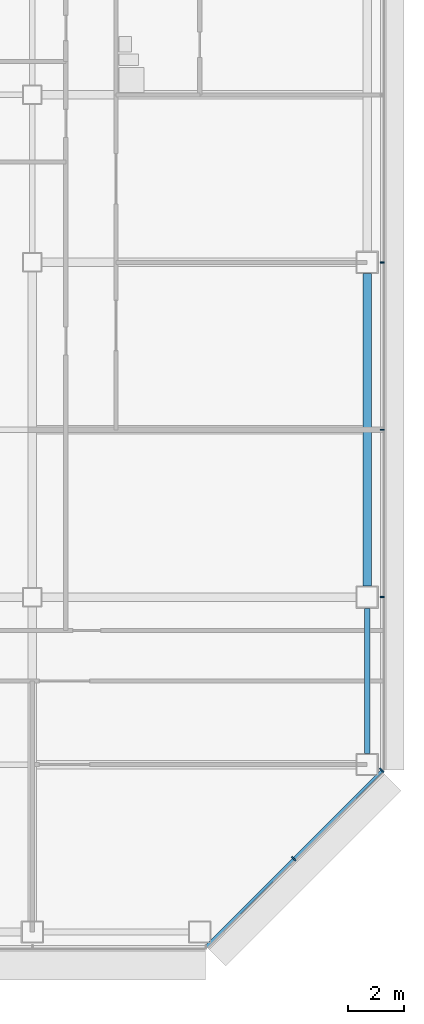
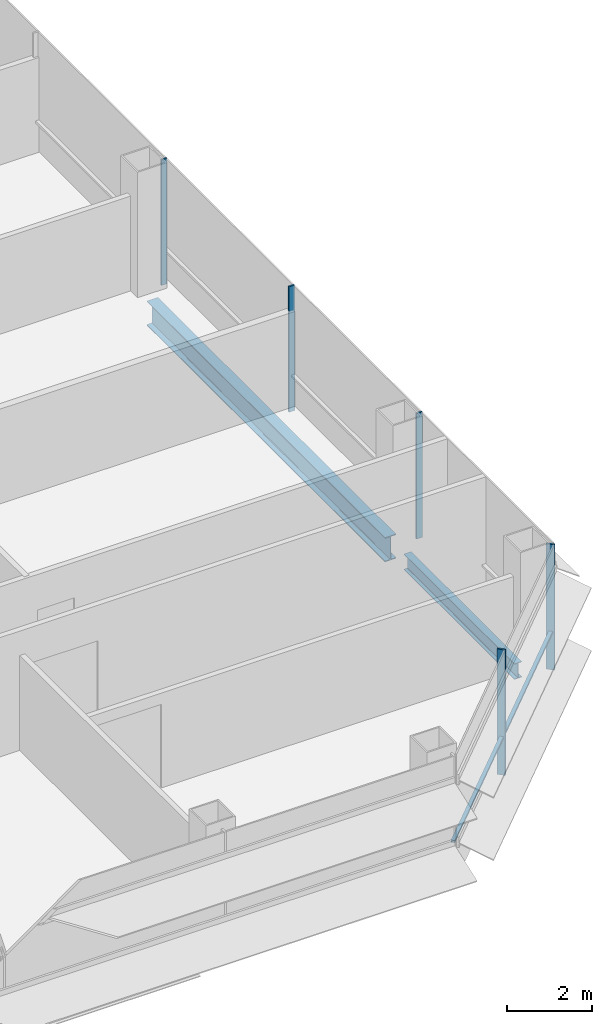
# One storey, part 15 of 25: 6 members, 2 beams, 2 elements without a shape of their own.
"""IFC4 building model written with IfcOpenShell, lengths in metres."""

from ifc_helpers import new_model, si_unit, direction, frame, origin, origin_2d, place, context, subcontext, project, spatial, rectangle, i_section, extrude, material, material_profile, profile_set, type_object, element, aggregate, save


model = new_model("IFC4")

# Units and contexts
model_context = context("Model", 3, precision=1e-05, world=origin(), true_north=direction((0.0, 1.0)))
body_context = subcontext(model_context, "Body", "Model", "MODEL_VIEW")
ifc_project = project(units=[si_unit("LENGTHUNIT", "METRE"), si_unit("AREAUNIT", "SQUARE_METRE"), si_unit("VOLUMEUNIT", "CUBIC_METRE"), si_unit("PLANEANGLEUNIT", "RADIAN"), si_unit("MASSUNIT", "GRAM", prefix="KILO")], contexts=[model_context])

# Site, building, storey
site_placement = place(None, origin())
site = spatial("IfcSite", under=ifc_project, at=site_placement, CompositionType="ELEMENT")
building_placement = place(site_placement, origin())
building = spatial("IfcBuilding", under=site, at=building_placement, Name="Sorahane Residences", CompositionType="ELEMENT")
storey_placement = place(building_placement, frame((0.0, 0.0, 119.60009765625)))
storey = spatial("IfcBuildingStorey", under=building, at=storey_placement, Name="L26", CompositionType="ELEMENT", Elevation=119.60009765625)

# Curtain wall, members
ifc_material_1 = material(Name="Dark low-e glass and black anodised aluminium", Category="aluminium")
curtain_wall_type_1 = type_object("IfcCurtainWallType", Name="Curtain wall CW-1 Typical unitised wall", PredefinedType="NOTDEFINED", material=ifc_material_1)
curtain_wall_1_placement = place(storey_placement, origin())
curtain_wall_1 = element("IfcCurtainWall", 1, at=curtain_wall_1_placement, inside=storey, type_object=curtain_wall_type_1, Name="CW-1 curtain wall L26 E1", PredefinedType="NOTDEFINED")
ifc_material_2 = material(Name="Black anodised aluminium", Category="aluminium")
ifc_material_profile_1 = material_profile(ifc_material_2, rectangle(XDim=0.159912109375, YDim=0.050048828125, at=origin_2d()), Name="Curtain wall mullion CW-1 black anodised aluminium 50x160")
ifc_profile_set_1 = profile_set([ifc_material_profile_1], Name="Black anodised aluminium")
member_type_1 = type_object("IfcMemberType", Name="Curtain wall mullion CW-1 black anodised aluminium 50x160", PredefinedType="MULLION", material=ifc_profile_set_1)
member_1_placement = place(storey_placement, frame((60.5400390625, 12.0, -0.18017578125), z_axis=(0.0, 0.0, 1.0), x_axis=(1.0, 0.0, 0.0)))
member_1 = element("IfcMember", 2, at=member_1_placement, type_object=member_type_1, Name="CW-1 mullion L26 E1.2", PredefinedType="MULLION", context=body_context, shape_type="SweptSolid", body=[
    extrude(rectangle(XDim=0.159912109375, YDim=0.050048828125, at=origin_2d()), origin(), (0.0, 0.0, 1.0), 3.60009765625),
])
member_2_placement = place(storey_placement, frame((60.5400390625, 18.0, -0.18017578125), z_axis=(0.0, 0.0, 1.0), x_axis=(1.0, 0.0, 0.0)))
member_2 = element("IfcMember", 3, at=member_2_placement, type_object=member_type_1, Name="CW-1 mullion L26 E1.3", PredefinedType="MULLION", context=body_context, shape_type="SweptSolid", body=[
    extrude(rectangle(XDim=0.159912109375, YDim=0.050048828125, at=origin_2d()), origin(), (0.0, 0.0, 1.0), 3.60009765625),
])
member_3_placement = place(storey_placement, frame((60.5400390625, 24.0, -0.18017578125), z_axis=(0.0, 0.0, 1.0), x_axis=(1.0, 0.0, 0.0)))
member_3 = element("IfcMember", 4, at=member_3_placement, type_object=member_type_1, Name="CW-1 mullion L26 E1.4", PredefinedType="MULLION", context=body_context, shape_type="SweptSolid", body=[
    extrude(rectangle(XDim=0.159912109375, YDim=0.050048828125, at=origin_2d()), origin(), (0.0, 0.0, 1.0), 3.60009765625),
])
aggregate(curtain_wall_1, [member_1, member_2, member_3])

ifc_material_3 = material(Name="Dark low-e glass and black anodised aluminium", Category="aluminium")
curtain_wall_type_2 = type_object("IfcCurtainWallType", Name="Curtain wall CW-2 Chamfer unitised wall", PredefinedType="NOTDEFINED", material=ifc_material_3)
curtain_wall_2_placement = place(storey_placement, origin())
curtain_wall_2 = element("IfcCurtainWall", 5, at=curtain_wall_2_placement, inside=storey, type_object=curtain_wall_type_2, Name="CW-2 curtain wall L26 SE1", PredefinedType="NOTDEFINED")
ifc_material_4 = material(Name="Black anodised aluminium", Category="aluminium")
ifc_material_profile_2 = material_profile(ifc_material_4, rectangle(XDim=0.199951171875, YDim=0.050048828125, at=origin_2d()), Name="Curtain wall mullion CW-2 black anodised aluminium 50x200")
ifc_profile_set_2 = profile_set([ifc_material_profile_2], Name="Black anodised aluminium")
member_type_2 = type_object("IfcMemberType", Name="Curtain wall mullion CW-2 black anodised aluminium 50x200", PredefinedType="MULLION", material=ifc_profile_set_2)
member_4_placement = place(storey_placement, frame((57.36767578125, 2.63232421875, -0.18017578125), z_axis=(0.0, 0.0, 1.0), x_axis=(0.707106781187, -0.707106781187, 0.0)))
member_4 = element("IfcMember", 6, at=member_4_placement, type_object=member_type_2, Name="CW-2 mullion L26 SE1.2", PredefinedType="MULLION", context=body_context, shape_type="SweptSolid", body=[
    extrude(rectangle(XDim=0.199951171875, YDim=0.050048828125, at=origin_2d()), origin(), (0.0, 0.0, 1.0), 3.60009765625),
])
member_5_placement = place(storey_placement, frame((60.525634765625, 5.790283203125, -0.18017578125), z_axis=(0.0, 0.0, 1.0), x_axis=(0.707106781187, -0.707106781187, 0.0)))
member_5 = element("IfcMember", 7, at=member_5_placement, type_object=member_type_2, Name="CW-2 mullion L26 SE1.3", PredefinedType="MULLION", context=body_context, shape_type="SweptSolid", body=[
    extrude(rectangle(XDim=0.199951171875, YDim=0.050048828125, at=origin_2d()), origin(), (0.0, 0.0, 1.0), 3.60009765625),
])
ifc_material_5 = material(Name="Black anodised aluminium", Category="aluminium")
ifc_material_profile_3 = material_profile(ifc_material_5, rectangle(XDim=0.10009765625, YDim=0.06005859375, at=origin_2d()), Name="Curtain wall transom CW-2 black anodised aluminium 60x100")
ifc_profile_set_3 = profile_set([ifc_material_profile_3], Name="Black anodised aluminium")
member_type_3 = type_object("IfcMemberType", Name="Curtain wall transom CW-2 black anodised aluminium 60x100", PredefinedType="USERDEFINED", material=ifc_profile_set_3)
member_6_placement = place(storey_placement, frame((54.234375, -0.51513671875, 0.89990234375), z_axis=(0.707106781187, 0.707106781187, 0.0), x_axis=(-0.707106781187, 0.707106781187, 0.0)))
member_6 = element("IfcMember", 8, at=member_6_placement, type_object=member_type_3, Name="CW-2 transom L26 SE1", ObjectType="TRANSOM", PredefinedType="USERDEFINED", context=body_context, shape_type="SweptSolid", body=[
    extrude(rectangle(XDim=0.10009765625, YDim=0.06005859375, at=origin_2d()), origin(), (0.0, 0.0, 1.0), 8.88232421875),
])
aggregate(curtain_wall_2, [member_4, member_5, member_6])

# Beams
ifc_material_6 = material(Name="Steel Q355B", Category="steel")
ifc_material_profile_4 = material_profile(ifc_material_6, i_section(OverallWidth=0.199951171875, OverallDepth=0.449951171875, WebThickness=0.009033203125, FlangeThickness=0.013916015625, FilletRadius=0.02001953125, at=origin_2d()), Name="HN 450x200x9x14")
ifc_profile_set_4 = profile_set([ifc_material_profile_4], Name="Steel Q355B")
beam_type_1 = type_object("IfcBeamType", Name="Steel floor beam HN 450x200x9x14 Q355B", PredefinedType="BEAM", material=ifc_profile_set_4)
beam_1_placement = place(storey_placement, frame((60.0, 6.39990234375, -0.405029296875), z_axis=(0.0, 1.0, 0.0), x_axis=(-1.0, 0.0, 0.0)))
element("IfcBeam", 9, at=beam_1_placement, inside=storey, type_object=beam_type_1, Name="Beam L26 064", PredefinedType="BEAM", context=body_context, shape_type="SweptSolid", body=[
    extrude(i_section(OverallWidth=0.199951171875, OverallDepth=0.449951171875, WebThickness=0.009033203125, FlangeThickness=0.013916015625, FilletRadius=0.02001953125, at=origin_2d()), origin(), (0.0, 0.0, 1.0), 5.2001953125),
])
ifc_material_7 = material(Name="Steel Q355B", Category="steel")
ifc_material_profile_5 = material_profile(ifc_material_7, i_section(OverallWidth=0.300048828125, OverallDepth=0.699951171875, WebThickness=0.012939453125, FlangeThickness=0.02392578125, FilletRadius=0.028076171875, at=origin_2d()), Name="HN 700x300x13x24")
ifc_profile_set_5 = profile_set([ifc_material_profile_5], Name="Steel Q355B")
beam_type_2 = type_object("IfcBeamType", Name="Steel floor beam HN 700x300x13x24 Q355B", PredefinedType="BEAM", material=ifc_profile_set_5)
beam_2_placement = place(storey_placement, frame((60.0, 12.39990234375, -0.530029296875), z_axis=(0.0, 1.0, 0.0), x_axis=(-1.0, 0.0, 0.0)))
element("IfcBeam", 10, at=beam_2_placement, inside=storey, type_object=beam_type_2, Name="Beam L26 065", PredefinedType="BEAM", context=body_context, shape_type="SweptSolid", body=[
    extrude(i_section(OverallWidth=0.300048828125, OverallDepth=0.699951171875, WebThickness=0.012939453125, FlangeThickness=0.02392578125, FilletRadius=0.028076171875, at=origin_2d()), origin(), (0.0, 0.0, 1.0), 11.2001953125),
])

save(model, "model.ifc")
